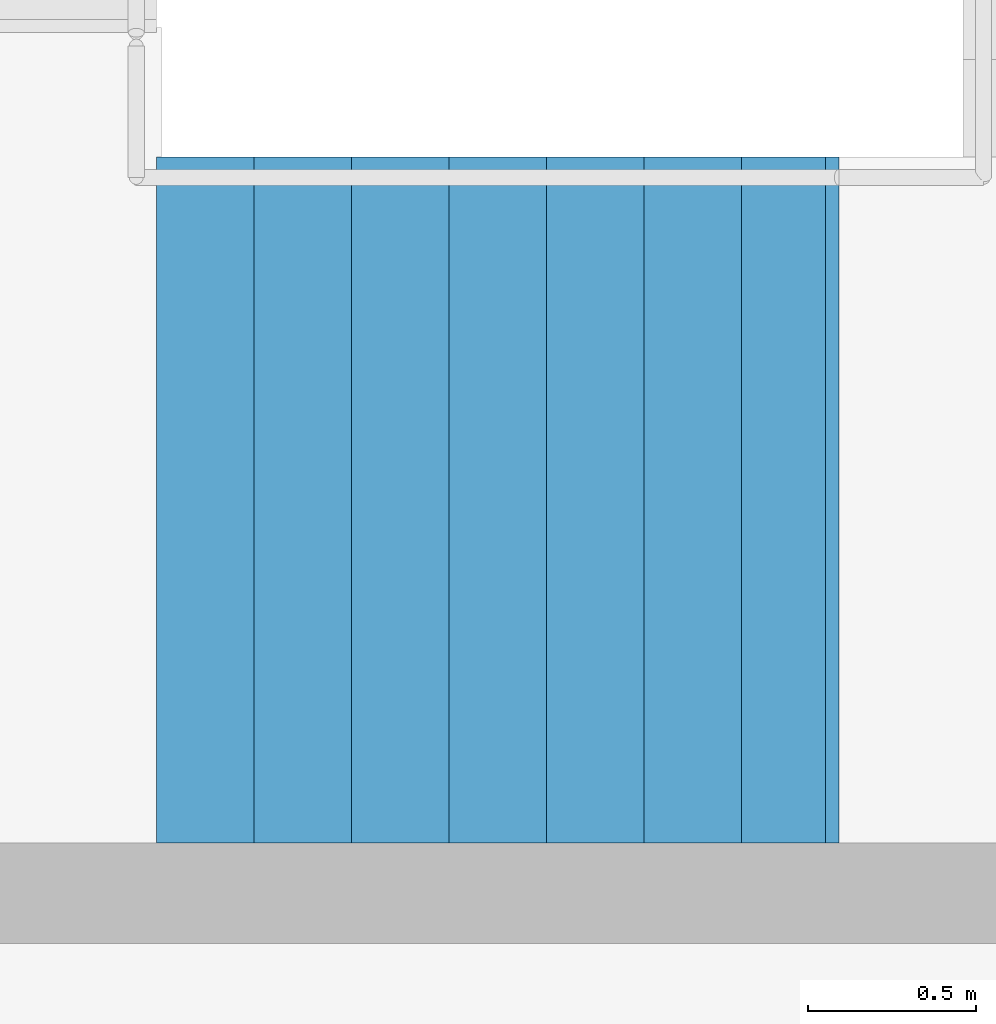
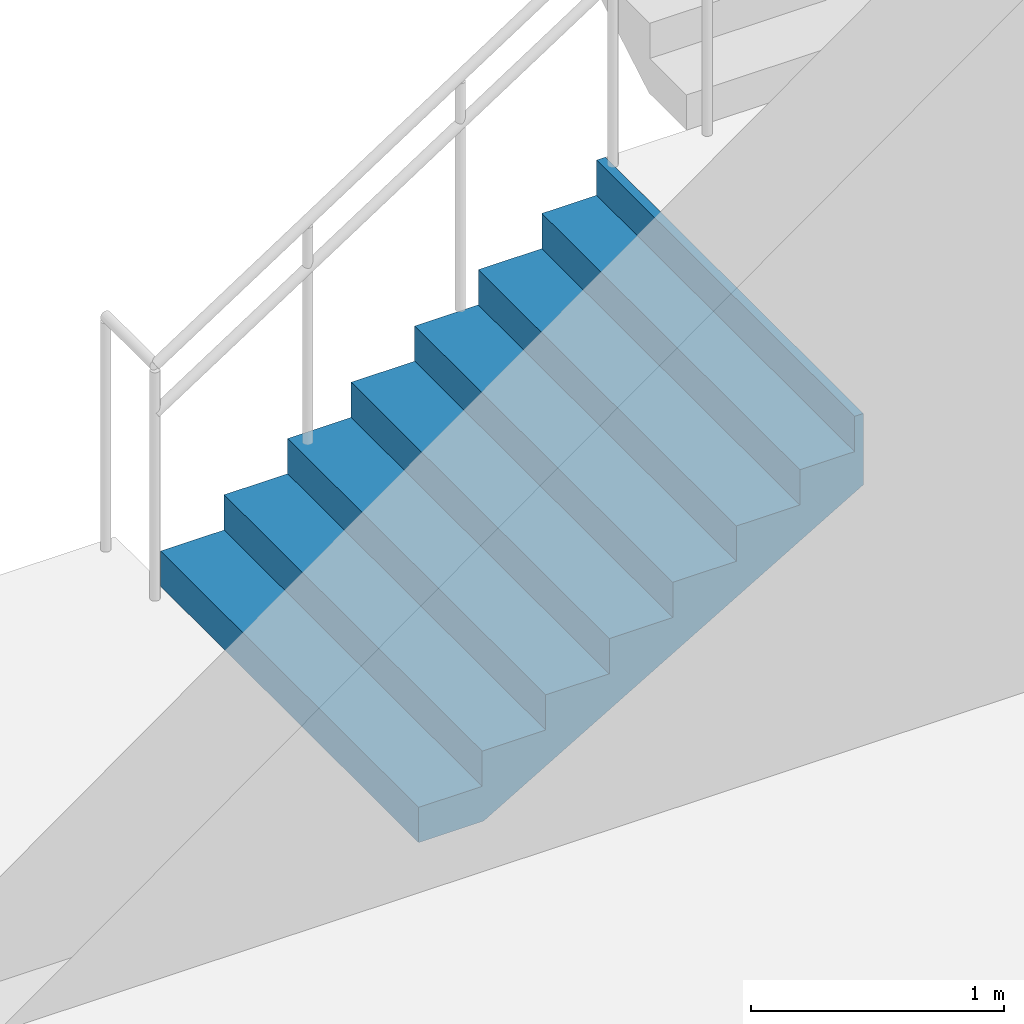
# One storey, part 66 of 72: 1 stair flight, 1 element without a shape of its own.
"""IFC4 building model written with IfcOpenShell, lengths in metres."""

from ifc_helpers import new_model, si_unit, direction, frame, origin, place, context, subcontext, project, spatial, triangles, material, type_object, element, aggregate, save


model = new_model("IFC4")

# Units and contexts
model_context = context("Model", 3, precision=1e-05, world=origin(), true_north=direction((0.0, 1.0)))
body_context = subcontext(model_context, "Body", "Model", "MODEL_VIEW")
ifc_project = project(units=[si_unit("LENGTHUNIT", "METRE"), si_unit("AREAUNIT", "SQUARE_METRE"), si_unit("VOLUMEUNIT", "CUBIC_METRE"), si_unit("PLANEANGLEUNIT", "RADIAN"), si_unit("MASSUNIT", "GRAM", prefix="KILO")], contexts=[model_context])

# Site, building, storey
site_placement = place(None, origin())
site = spatial("IfcSite", under=ifc_project, at=site_placement, CompositionType="ELEMENT")
building_placement = place(site_placement, origin())
building = spatial("IfcBuilding", under=site, at=building_placement, Name="Sillaruma Civic Art Gallery", CompositionType="ELEMENT")
storey_placement = place(building_placement, frame((0.0, 0.0, 10.8798828125)))
storey = spatial("IfcBuildingStorey", under=building, at=storey_placement, Name="L02", CompositionType="ELEMENT", Elevation=10.8798828125)

# Stair, stair flight
ifc_material = material(Name="Concrete H35 (35 MPa)", Category="concrete")
stair_type = type_object("IfcStairType", Name="STR-4F-32", PredefinedType="USERDEFINED", material=ifc_material)
stair_placement = place(storey_placement, origin())
stair = element("IfcStair", 1, at=stair_placement, inside=storey, type_object=stair_type, Name="Protected Exit Stair ST-05 (East Wing) (L02)", ObjectType="THREE_RETURN_STAIR", PredefinedType="USERDEFINED")
stair_flight_type = type_object("IfcStairFlightType", Name="SFL-STR-8", PredefinedType="STRAIGHT", material=ifc_material)
stair_flight_placement = place(storey_placement, frame((144.199951171875, 12.419921875, 0.0), z_axis=(0.0, 0.0, 1.0), x_axis=(1.0, 0.0, 0.0)))
stair_flight = element("IfcStairFlight", 2, at=stair_flight_placement, type_object=stair_flight_type, Name="ST-05 flight 1", NumberOfRisers=8, NumberOfTreads=7, PredefinedType="STRAIGHT", RiserHeight=0.17, TreadLength=0.29, context=body_context, shape_type="Tessellation", body=[
    triangles([(0.0, -1.02001953125, 0.0), (0.29, -1.02001953125, 0.0), (0.296443, -1.02001953125, 0.0), (0.58, -1.02001953125, 0.166223), (0.87, -1.02001953125, 0.336223), (1.16, -1.02001953125, 0.506223), (1.45, -1.02001953125, 0.676223), (1.74, -1.02001953125, 0.846223), (1.990029, -1.02001953125, 0.992792), (2.030029, -1.02001953125, 1.01624), (2.030029, -1.02001953125, 1.36), (1.990029, -1.02001953125, 1.36), (1.990029, -1.02001953125, 1.19), (1.74, -1.02001953125, 1.19), (1.74, -1.02001953125, 1.02), (1.45, -1.02001953125, 1.02), (1.45, -1.02001953125, 0.85), (1.16, -1.02001953125, 0.85), (1.16, -1.02001953125, 0.68), (0.87, -1.02001953125, 0.68), (0.87, -1.02001953125, 0.51), (0.58, -1.02001953125, 0.51), (0.58, -1.02001953125, 0.34), (0.296443, -1.02001953125, 0.34), (0.29, -1.02001953125, 0.34), (0.29, -1.02001953125, 0.17), (0.0, -1.02001953125, 0.17), (0.0, -0.05, 0.0), (0.29, -0.05, 0.0), (0.296443, -0.05, 0.0), (0.58, -0.05, 0.166223), (0.87, -0.05, 0.336223), (1.16, -0.05, 0.506223), (1.45, -0.05, 0.676223), (1.74, -0.05, 0.846223), (1.990029, -0.05, 0.992792), (2.030029, -0.05, 1.01624), (2.030029, -0.05, 1.36), (1.990029, -0.05, 1.36), (1.990029, -0.05, 1.19), (1.74, -0.05, 1.19), (1.74, -0.05, 1.02), (1.45, -0.05, 1.02), (1.45, -0.05, 0.85), (1.16, -0.05, 0.85), (1.16, -0.05, 0.68), (0.87, -0.05, 0.68), (0.87, -0.05, 0.51), (0.58, -0.05, 0.51), (0.58, -0.05, 0.34), (0.296443, -0.05, 0.34), (0.29, -0.05, 0.34), (0.29, -0.05, 0.17), (0.0, -0.05, 0.17), (0.0, -0.0375, 0.0), (0.29, -0.0375, 0.0), (0.296443, -0.0375, 0.0), (0.58, -0.0375, 0.166223), (0.87, -0.0375, 0.336223), (1.16, -0.0375, 0.506223), (1.45, -0.0375, 0.676223), (1.74, -0.0375, 0.846223), (1.990029, -0.0375, 0.992792), (2.030029, -0.0375, 1.01624), (2.030029, -0.0375, 1.36), (1.990029, -0.0375, 1.36), (1.990029, -0.0375, 1.19), (1.74, -0.0375, 1.19), (1.74, -0.0375, 1.02), (1.45, -0.0375, 1.02), (1.45, -0.0375, 0.85), (1.16, -0.0375, 0.85), (1.16, -0.0375, 0.68), (0.87, -0.0375, 0.68), (0.87, -0.0375, 0.51), (0.58, -0.0375, 0.51), (0.58, -0.0375, 0.34), (0.296443, -0.0375, 0.34), (0.29, -0.0375, 0.34), (0.29, -0.0375, 0.17), (0.0, -0.0375, 0.17), (0.0, -0.025, 0.0), (0.29, -0.025, 0.0), (0.296443, -0.025, 0.0), (0.58, -0.025, 0.166223), (0.87, -0.025, 0.336223), (1.16, -0.025, 0.506223), (1.45, -0.025, 0.676223), (1.74, -0.025, 0.846223), (1.990029, -0.025, 0.992792), (2.030029, -0.025, 1.01624), (2.030029, -0.025, 1.36), (1.990029, -0.025, 1.36), (1.990029, -0.025, 1.19), (1.74, -0.025, 1.19), (1.74, -0.025, 1.02), (1.45, -0.025, 1.02), (1.45, -0.025, 0.85), (1.16, -0.025, 0.85), (1.16, -0.025, 0.68), (0.87, -0.025, 0.68), (0.87, -0.025, 0.51), (0.58, -0.025, 0.51), (0.58, -0.025, 0.34), (0.296443, -0.025, 0.34), (0.29, -0.025, 0.34), (0.29, -0.025, 0.17), (0.0, -0.025, 0.17), (0.0, -0.0125, 0.0), (0.29, -0.0125, 0.0), (0.296443, -0.0125, 0.0), (0.58, -0.0125, 0.166223), (0.87, -0.0125, 0.336223), (1.16, -0.0125, 0.506223), (1.45, -0.0125, 0.676223), (1.74, -0.0125, 0.846223), (1.990029, -0.0125, 0.992792), (2.030029, -0.0125, 1.01624), (2.030029, -0.0125, 1.36), (1.990029, -0.0125, 1.36), (1.990029, -0.0125, 1.19), (1.74, -0.0125, 1.19), (1.74, -0.0125, 1.02), (1.45, -0.0125, 1.02), (1.45, -0.0125, 0.85), (1.16, -0.0125, 0.85), (1.16, -0.0125, 0.68), (0.87, -0.0125, 0.68), (0.87, -0.0125, 0.51), (0.58, -0.0125, 0.51), (0.58, -0.0125, 0.34), (0.296443, -0.0125, 0.34), (0.29, -0.0125, 0.34), (0.29, -0.0125, 0.17), (0.0, -0.0125, 0.17), (0.0, 0.0, 0.0), (0.29, 0.0, 0.0), (0.296443, 0.0, 0.0), (0.58, 0.0, 0.166223), (0.87, 0.0, 0.336223), (1.16, 0.0, 0.506223), (1.45, 0.0, 0.676223), (1.74, 0.0, 0.846223), (1.990029, 0.0, 0.992792), (2.030029, 0.0, 1.01624), (2.030029, 0.0, 1.36), (1.990029, 0.0, 1.36), (1.990029, 0.0, 1.19), (1.74, 0.0, 1.19), (1.74, 0.0, 1.02), (1.45, 0.0, 1.02), (1.45, 0.0, 0.85), (1.16, 0.0, 0.85), (1.16, 0.0, 0.68), (0.87, 0.0, 0.68), (0.87, 0.0, 0.51), (0.58, 0.0, 0.51), (0.58, 0.0, 0.34), (0.296443, 0.0, 0.34), (0.29, 0.0, 0.34), (0.29, 0.0, 0.17), (0.0, 0.0, 0.17), (0.0, 0.0125, 0.0), (0.29, 0.0125, 0.0), (0.296443, 0.0125, 0.0), (0.58, 0.0125, 0.166223), (0.87, 0.0125, 0.336223), (1.16, 0.0125, 0.506223), (1.45, 0.0125, 0.676223), (1.74, 0.0125, 0.846223), (1.990029, 0.0125, 0.992792), (2.030029, 0.0125, 1.01624), (2.030029, 0.0125, 1.36), (1.990029, 0.0125, 1.36), (1.990029, 0.0125, 1.19), (1.74, 0.0125, 1.19), (1.74, 0.0125, 1.02), (1.45, 0.0125, 1.02), (1.45, 0.0125, 0.85), (1.16, 0.0125, 0.85), (1.16, 0.0125, 0.68), (0.87, 0.0125, 0.68), (0.87, 0.0125, 0.51), (0.58, 0.0125, 0.51), (0.58, 0.0125, 0.34), (0.296443, 0.0125, 0.34), (0.29, 0.0125, 0.34), (0.29, 0.0125, 0.17), (0.0, 0.0125, 0.17), (0.0, 0.025, 0.0), (0.29, 0.025, 0.0), (0.296443, 0.025, 0.0), (0.58, 0.025, 0.166223), (0.87, 0.025, 0.336223), (1.16, 0.025, 0.506223), (1.45, 0.025, 0.676223), (1.74, 0.025, 0.846223), (1.990029, 0.025, 0.992792), (2.030029, 0.025, 1.01624), (2.030029, 0.025, 1.36), (1.990029, 0.025, 1.36), (1.990029, 0.025, 1.19), (1.74, 0.025, 1.19), (1.74, 0.025, 1.02), (1.45, 0.025, 1.02), (1.45, 0.025, 0.85), (1.16, 0.025, 0.85), (1.16, 0.025, 0.68), (0.87, 0.025, 0.68), (0.87, 0.025, 0.51), (0.58, 0.025, 0.51), (0.58, 0.025, 0.34), (0.296443, 0.025, 0.34), (0.29, 0.025, 0.34), (0.29, 0.025, 0.17), (0.0, 0.025, 0.17), (0.0, 0.0375, 0.0), (0.29, 0.0375, 0.0), (0.296443, 0.0375, 0.0), (0.58, 0.0375, 0.166223), (0.87, 0.0375, 0.336223), (1.16, 0.0375, 0.506223), (1.45, 0.0375, 0.676223), (1.74, 0.0375, 0.846223), (1.990029, 0.0375, 0.992792), (2.030029, 0.0375, 1.01624), (2.030029, 0.0375, 1.36), (1.990029, 0.0375, 1.36), (1.990029, 0.0375, 1.19), (1.74, 0.0375, 1.19), (1.74, 0.0375, 1.02), (1.45, 0.0375, 1.02), (1.45, 0.0375, 0.85), (1.16, 0.0375, 0.85), (1.16, 0.0375, 0.68), (0.87, 0.0375, 0.68), (0.87, 0.0375, 0.51), (0.58, 0.0375, 0.51), (0.58, 0.0375, 0.34), (0.296443, 0.0375, 0.34), (0.29, 0.0375, 0.34), (0.29, 0.0375, 0.17), (0.0, 0.0375, 0.17), (0.0, 0.05, 0.0), (0.29, 0.05, 0.0), (0.296443, 0.05, 0.0), (0.58, 0.05, 0.166223), (0.87, 0.05, 0.336223), (1.16, 0.05, 0.506223), (1.45, 0.05, 0.676223), (1.74, 0.05, 0.846223), (1.990029, 0.05, 0.992792), (2.030029, 0.05, 1.01624), (2.030029, 0.05, 1.36), (1.990029, 0.05, 1.36), (1.990029, 0.05, 1.19), (1.74, 0.05, 1.19), (1.74, 0.05, 1.02), (1.45, 0.05, 1.02), (1.45, 0.05, 0.85), (1.16, 0.05, 0.85), (1.16, 0.05, 0.68), (0.87, 0.05, 0.68), (0.87, 0.05, 0.51), (0.58, 0.05, 0.51), (0.58, 0.05, 0.34), (0.296443, 0.05, 0.34), (0.29, 0.05, 0.34), (0.29, 0.05, 0.17), (0.0, 0.05, 0.17), (0.0, 1.02001953125, 0.0), (0.29, 1.02001953125, 0.0), (0.296443, 1.02001953125, 0.0), (0.58, 1.02001953125, 0.166223), (0.87, 1.02001953125, 0.336223), (1.16, 1.02001953125, 0.506223), (1.45, 1.02001953125, 0.676223), (1.74, 1.02001953125, 0.846223), (1.990029, 1.02001953125, 0.992792), (2.030029, 1.02001953125, 1.01624), (2.030029, 1.02001953125, 1.36), (1.990029, 1.02001953125, 1.36), (1.990029, 1.02001953125, 1.19), (1.74, 1.02001953125, 1.19), (1.74, 1.02001953125, 1.02), (1.45, 1.02001953125, 1.02), (1.45, 1.02001953125, 0.85), (1.16, 1.02001953125, 0.85), (1.16, 1.02001953125, 0.68), (0.87, 1.02001953125, 0.68), (0.87, 1.02001953125, 0.51), (0.58, 1.02001953125, 0.51), (0.58, 1.02001953125, 0.34), (0.296443, 1.02001953125, 0.34), (0.29, 1.02001953125, 0.34), (0.29, 1.02001953125, 0.17), (0.0, 1.02001953125, 0.17)], [[1, 2, 26], [1, 26, 27], [2, 3, 24], [2, 24, 26], [26, 24, 25], [3, 4, 23], [3, 23, 24], [4, 5, 21], [4, 21, 23], [23, 21, 22], [5, 6, 19], [5, 19, 21], [21, 19, 20], [6, 7, 17], [6, 17, 19], [19, 17, 18], [7, 8, 15], [7, 15, 17], [17, 15, 16], [8, 9, 13], [8, 13, 15], [15, 13, 14], [9, 10, 11], [9, 11, 13], [13, 11, 12], [296, 272, 271], [297, 296, 271], [294, 273, 272], [296, 294, 272], [295, 294, 296], [293, 274, 273], [294, 293, 273], [291, 275, 274], [293, 291, 274], [292, 291, 293], [289, 276, 275], [291, 289, 275], [290, 289, 291], [287, 277, 276], [289, 287, 276], [288, 287, 289], [285, 278, 277], [287, 285, 277], [286, 285, 287], [283, 279, 278], [285, 283, 278], [284, 283, 285], [281, 280, 279], [283, 281, 279], [282, 281, 283], [2, 1, 28], [2, 28, 29], [3, 2, 29], [3, 29, 30], [4, 3, 30], [4, 30, 31], [5, 4, 31], [5, 31, 32], [6, 5, 32], [6, 32, 33], [7, 6, 33], [7, 33, 34], [8, 7, 34], [8, 34, 35], [9, 8, 35], [9, 35, 36], [10, 9, 36], [10, 36, 37], [11, 10, 37], [11, 37, 38], [12, 11, 38], [12, 38, 39], [13, 12, 39], [13, 39, 40], [14, 13, 40], [14, 40, 41], [15, 14, 41], [15, 41, 42], [16, 15, 42], [16, 42, 43], [17, 16, 43], [17, 43, 44], [18, 17, 44], [18, 44, 45], [19, 18, 45], [19, 45, 46], [20, 19, 46], [20, 46, 47], [21, 20, 47], [21, 47, 48], [22, 21, 48], [22, 48, 49], [23, 22, 49], [23, 49, 50], [24, 23, 50], [24, 50, 51], [25, 24, 51], [25, 51, 52], [26, 25, 52], [26, 52, 53], [27, 26, 53], [27, 53, 54], [1, 27, 54], [1, 54, 28], [29, 28, 55], [29, 55, 56], [30, 29, 56], [30, 56, 57], [31, 30, 57], [31, 57, 58], [32, 31, 58], [32, 58, 59], [33, 32, 59], [33, 59, 60], [34, 33, 60], [34, 60, 61], [35, 34, 61], [35, 61, 62], [36, 35, 62], [36, 62, 63], [37, 36, 63], [37, 63, 64], [38, 37, 64], [38, 64, 65], [39, 38, 65], [39, 65, 66], [40, 39, 66], [40, 66, 67], [41, 40, 67], [41, 67, 68], [42, 41, 68], [42, 68, 69], [43, 42, 69], [43, 69, 70], [44, 43, 70], [44, 70, 71], [45, 44, 71], [45, 71, 72], [46, 45, 72], [46, 72, 73], [47, 46, 73], [47, 73, 74], [48, 47, 74], [48, 74, 75], [49, 48, 75], [49, 75, 76], [50, 49, 76], [50, 76, 77], [51, 50, 77], [51, 77, 78], [52, 51, 78], [52, 78, 79], [53, 52, 79], [53, 79, 80], [54, 53, 80], [54, 80, 81], [28, 54, 81], [28, 81, 55], [56, 55, 82], [56, 82, 83], [57, 56, 83], [57, 83, 84], [58, 57, 84], [58, 84, 85], [59, 58, 85], [59, 85, 86], [60, 59, 86], [60, 86, 87], [61, 60, 87], [61, 87, 88], [62, 61, 88], [62, 88, 89], [63, 62, 89], [63, 89, 90], [64, 63, 90], [64, 90, 91], [65, 64, 91], [65, 91, 92], [66, 65, 92], [66, 92, 93], [67, 66, 93], [67, 93, 94], [68, 67, 94], [68, 94, 95], [69, 68, 95], [69, 95, 96], [70, 69, 96], [70, 96, 97], [71, 70, 97], [71, 97, 98], [72, 71, 98], [72, 98, 99], [73, 72, 99], [73, 99, 100], [74, 73, 100], [74, 100, 101], [75, 74, 101], [75, 101, 102], [76, 75, 102], [76, 102, 103], [77, 76, 103], [77, 103, 104], [78, 77, 104], [78, 104, 105], [79, 78, 105], [79, 105, 106], [80, 79, 106], [80, 106, 107], [81, 80, 107], [81, 107, 108], [55, 81, 108], [55, 108, 82], [83, 82, 109], [83, 109, 110], [84, 83, 110], [84, 110, 111], [85, 84, 111], [85, 111, 112], [86, 85, 112], [86, 112, 113], [87, 86, 113], [87, 113, 114], [88, 87, 114], [88, 114, 115], [89, 88, 115], [89, 115, 116], [90, 89, 116], [90, 116, 117], [91, 90, 117], [91, 117, 118], [92, 91, 118], [92, 118, 119], [93, 92, 119], [93, 119, 120], [94, 93, 120], [94, 120, 121], [95, 94, 121], [95, 121, 122], [96, 95, 122], [96, 122, 123], [97, 96, 123], [97, 123, 124], [98, 97, 124], [98, 124, 125], [99, 98, 125], [99, 125, 126], [100, 99, 126], [100, 126, 127], [101, 100, 127], [101, 127, 128], [102, 101, 128], [102, 128, 129], [103, 102, 129], [103, 129, 130], [104, 103, 130], [104, 130, 131], [105, 104, 131], [105, 131, 132], [106, 105, 132], [106, 132, 133], [107, 106, 133], [107, 133, 134], [108, 107, 134], [108, 134, 135], [82, 108, 135], [82, 135, 109], [110, 109, 136], [110, 136, 137], [111, 110, 137], [111, 137, 138], [112, 111, 138], [112, 138, 139], [113, 112, 139], [113, 139, 140], [114, 113, 140], [114, 140, 141], [115, 114, 141], [115, 141, 142], [116, 115, 142], [116, 142, 143], [117, 116, 143], [117, 143, 144], [118, 117, 144], [118, 144, 145], [119, 118, 145], [119, 145, 146], [120, 119, 146], [120, 146, 147], [121, 120, 147], [121, 147, 148], [122, 121, 148], [122, 148, 149], [123, 122, 149], [123, 149, 150], [124, 123, 150], [124, 150, 151], [125, 124, 151], [125, 151, 152], [126, 125, 152], [126, 152, 153], [127, 126, 153], [127, 153, 154], [128, 127, 154], [128, 154, 155], [129, 128, 155], [129, 155, 156], [130, 129, 156], [130, 156, 157], [131, 130, 157], [131, 157, 158], [132, 131, 158], [132, 158, 159], [133, 132, 159], [133, 159, 160], [134, 133, 160], [134, 160, 161], [135, 134, 161], [135, 161, 162], [109, 135, 162], [109, 162, 136], [137, 136, 163], [137, 163, 164], [138, 137, 164], [138, 164, 165], [139, 138, 165], [139, 165, 166], [140, 139, 166], [140, 166, 167], [141, 140, 167], [141, 167, 168], [142, 141, 168], [142, 168, 169], [143, 142, 169], [143, 169, 170], [144, 143, 170], [144, 170, 171], [145, 144, 171], [145, 171, 172], [146, 145, 172], [146, 172, 173], [147, 146, 173], [147, 173, 174], [148, 147, 174], [148, 174, 175], [149, 148, 175], [149, 175, 176], [150, 149, 176], [150, 176, 177], [151, 150, 177], [151, 177, 178], [152, 151, 178], [152, 178, 179], [153, 152, 179], [153, 179, 180], [154, 153, 180], [154, 180, 181], [155, 154, 181], [155, 181, 182], [156, 155, 182], [156, 182, 183], [157, 156, 183], [157, 183, 184], [158, 157, 184], [158, 184, 185], [159, 158, 185], [159, 185, 186], [160, 159, 186], [160, 186, 187], [161, 160, 187], [161, 187, 188], [162, 161, 188], [162, 188, 189], [136, 162, 189], [136, 189, 163], [164, 163, 190], [164, 190, 191], [165, 164, 191], [165, 191, 192], [166, 165, 192], [166, 192, 193], [167, 166, 193], [167, 193, 194], [168, 167, 194], [168, 194, 195], [169, 168, 195], [169, 195, 196], [170, 169, 196], [170, 196, 197], [171, 170, 197], [171, 197, 198], [172, 171, 198], [172, 198, 199], [173, 172, 199], [173, 199, 200], [174, 173, 200], [174, 200, 201], [175, 174, 201], [175, 201, 202], [176, 175, 202], [176, 202, 203], [177, 176, 203], [177, 203, 204], [178, 177, 204], [178, 204, 205], [179, 178, 205], [179, 205, 206], [180, 179, 206], [180, 206, 207], [181, 180, 207], [181, 207, 208], [182, 181, 208], [182, 208, 209], [183, 182, 209], [183, 209, 210], [184, 183, 210], [184, 210, 211], [185, 184, 211], [185, 211, 212], [186, 185, 212], [186, 212, 213], [187, 186, 213], [187, 213, 214], [188, 187, 214], [188, 214, 215], [189, 188, 215], [189, 215, 216], [163, 189, 216], [163, 216, 190], [191, 190, 217], [191, 217, 218], [192, 191, 218], [192, 218, 219], [193, 192, 219], [193, 219, 220], [194, 193, 220], [194, 220, 221], [195, 194, 221], [195, 221, 222], [196, 195, 222], [196, 222, 223], [197, 196, 223], [197, 223, 224], [198, 197, 224], [198, 224, 225], [199, 198, 225], [199, 225, 226], [200, 199, 226], [200, 226, 227], [201, 200, 227], [201, 227, 228], [202, 201, 228], [202, 228, 229], [203, 202, 229], [203, 229, 230], [204, 203, 230], [204, 230, 231], [205, 204, 231], [205, 231, 232], [206, 205, 232], [206, 232, 233], [207, 206, 233], [207, 233, 234], [208, 207, 234], [208, 234, 235], [209, 208, 235], [209, 235, 236], [210, 209, 236], [210, 236, 237], [211, 210, 237], [211, 237, 238], [212, 211, 238], [212, 238, 239], [213, 212, 239], [213, 239, 240], [214, 213, 240], [214, 240, 241], [215, 214, 241], [215, 241, 242], [216, 215, 242], [216, 242, 243], [190, 216, 243], [190, 243, 217], [218, 217, 244], [218, 244, 245], [219, 218, 245], [219, 245, 246], [220, 219, 246], [220, 246, 247], [221, 220, 247], [221, 247, 248], [222, 221, 248], [222, 248, 249], [223, 222, 249], [223, 249, 250], [224, 223, 250], [224, 250, 251], [225, 224, 251], [225, 251, 252], [226, 225, 252], [226, 252, 253], [227, 226, 253], [227, 253, 254], [228, 227, 254], [228, 254, 255], [229, 228, 255], [229, 255, 256], [230, 229, 256], [230, 256, 257], [231, 230, 257], [231, 257, 258], [232, 231, 258], [232, 258, 259], [233, 232, 259], [233, 259, 260], [234, 233, 260], [234, 260, 261], [235, 234, 261], [235, 261, 262], [236, 235, 262], [236, 262, 263], [237, 236, 263], [237, 263, 264], [238, 237, 264], [238, 264, 265], [239, 238, 265], [239, 265, 266], [240, 239, 266], [240, 266, 267], [241, 240, 267], [241, 267, 268], [242, 241, 268], [242, 268, 269], [243, 242, 269], [243, 269, 270], [217, 243, 270], [217, 270, 244], [245, 244, 271], [245, 271, 272], [246, 245, 272], [246, 272, 273], [247, 246, 273], [247, 273, 274], [248, 247, 274], [248, 274, 275], [249, 248, 275], [249, 275, 276], [250, 249, 276], [250, 276, 277], [251, 250, 277], [251, 277, 278], [252, 251, 278], [252, 278, 279], [253, 252, 279], [253, 279, 280], [254, 253, 280], [254, 280, 281], [255, 254, 281], [255, 281, 282], [256, 255, 282], [256, 282, 283], [257, 256, 283], [257, 283, 284], [258, 257, 284], [258, 284, 285], [259, 258, 285], [259, 285, 286], [260, 259, 286], [260, 286, 287], [261, 260, 287], [261, 287, 288], [262, 261, 288], [262, 288, 289], [263, 262, 289], [263, 289, 290], [264, 263, 290], [264, 290, 291], [265, 264, 291], [265, 291, 292], [266, 265, 292], [266, 292, 293], [267, 266, 293], [267, 293, 294], [268, 267, 294], [268, 294, 295], [269, 268, 295], [269, 295, 296], [270, 269, 296], [270, 296, 297], [244, 270, 297], [244, 297, 271]], closed=True),
])
aggregate(stair, [stair_flight])

save(model, "model.ifc")
